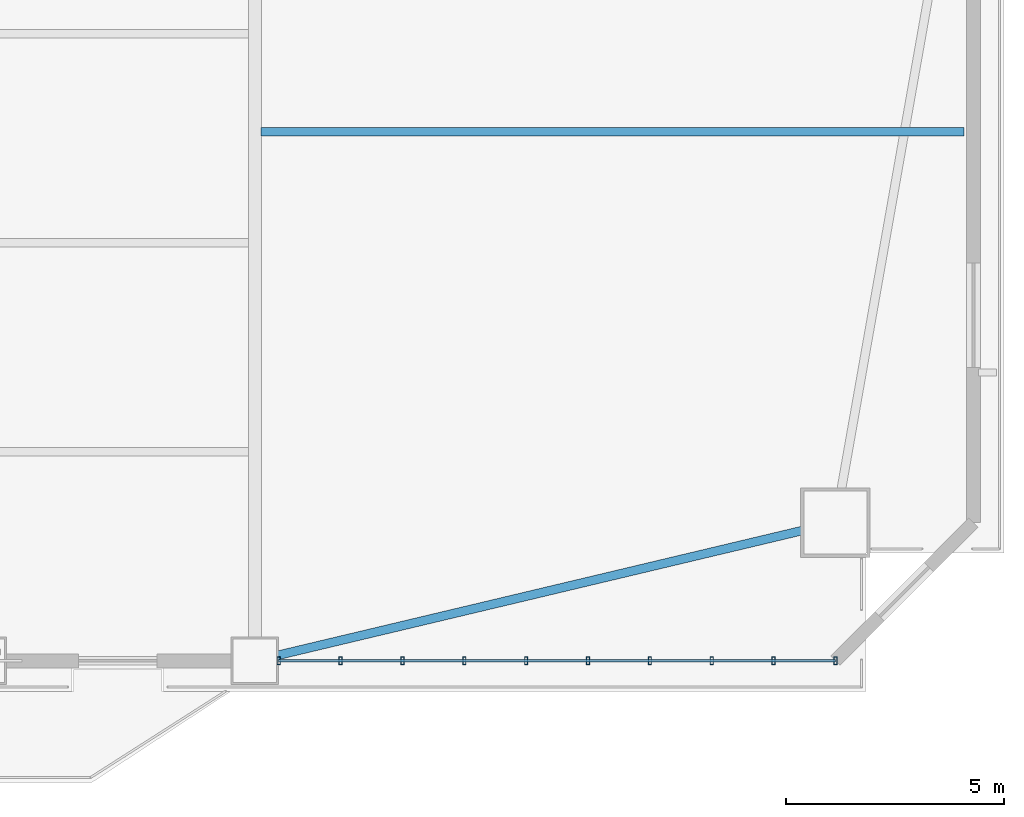
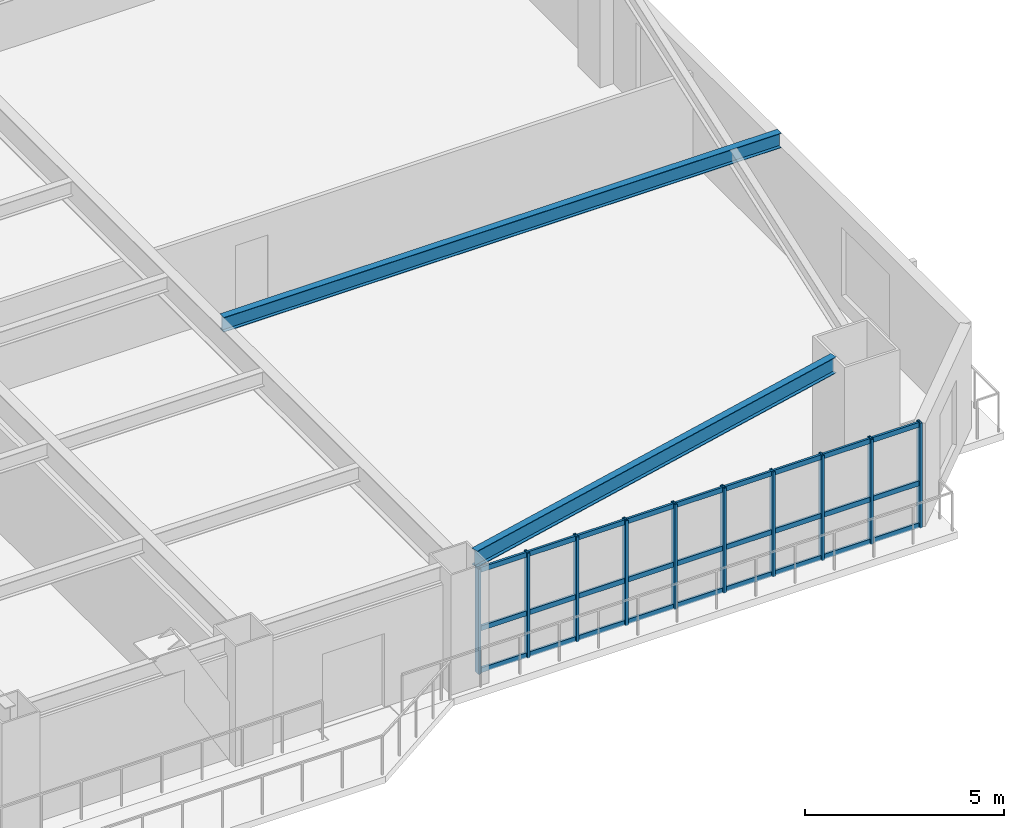
# One storey, part 6 of 17: 13 members, 2 beams, 1 element without a shape of its own.
"""IFC4 building model written with IfcOpenShell, lengths in metres."""

from ifc_helpers import new_model, si_unit, direction, frame, origin, origin_2d, place, context, subcontext, project, spatial, hollow_rectangle, i_section, extrude, source, transform, mapped, material, layer, layer_set, material_profile, profile_set, type_object, element, aggregate, save


model = new_model("IFC4")

# Units and contexts
model_context = context("Model", 3, precision=1e-05, world=origin(), true_north=direction((0.0, 1.0)))
body_context = subcontext(model_context, "Body", "Model", "MODEL_VIEW")
ifc_project = project(units=[si_unit("LENGTHUNIT", "METRE"), si_unit("AREAUNIT", "SQUARE_METRE"), si_unit("VOLUMEUNIT", "CUBIC_METRE"), si_unit("PLANEANGLEUNIT", "RADIAN"), si_unit("MASSUNIT", "GRAM", prefix="KILO")], contexts=[model_context])

# Site, building, storey
site_placement = place(None, origin())
site = spatial("IfcSite", under=ifc_project, at=site_placement, CompositionType="ELEMENT")
building_placement = place(site_placement, origin())
building = spatial("IfcBuilding", under=site, at=building_placement, Name="Giltprow Tower", CompositionType="ELEMENT")
storey_placement = place(building_placement, frame((0.0, 0.0, 37.10009765625)))
storey = spatial("IfcBuildingStorey", under=building, at=storey_placement, Name="L09", CompositionType="ELEMENT", Elevation=37.10009765625)

# Beams
ifc_material_1 = material(Name="Structural steel Q355B", Category="steel")
ifc_material_profile_1 = material_profile(ifc_material_1, i_section(OverallWidth=0.199951171875, OverallDepth=0.5, WebThickness=0.010009765625, FlangeThickness=0.01611328125, at=origin_2d()), Name="HN 500x200x10x16")
ifc_profile_set_1 = profile_set([ifc_material_profile_1], Name="Structural steel Q355B")
beam_type_1 = type_object("IfcBeamType", Name="BM-SPAN-HN500", PredefinedType="SPANDREL", material=ifc_profile_set_1)
shared_shape_1 = source(origin(), body_context, "Body", "SweptSolid", [
    extrude(i_section(OverallWidth=0.199951171875, OverallDepth=0.5, WebThickness=0.010009765625, FlangeThickness=0.01611328125, at=origin_2d()), origin(), (0.0, 0.0, 1.0), 12.393310546875),
])
beam_1_placement = place(storey_placement, frame((51.070068359375, 3.950927734375, 3.429931640625), z_axis=(0.972852062108, 0.23142788348, 0.0), x_axis=(-0.23142788348, 0.972852062108, 0.0)))
element("IfcBeam", 1, at=beam_1_placement, inside=storey, type_object=beam_type_1, Name="L09 Perimeter Spandrel Beam S4-MC_SE", PredefinedType="SPANDREL", context=body_context, shape_type="MappedRepresentation", body=[
    mapped(shared_shape_1, transform((0.0, 0.0, 0.0), x_axis=(1.0, 0.0, 0.0), y_axis=(0.0, 1.0, 0.0), z_axis=(0.0, 0.0, 1.0), scale=1.0)),
])
ifc_material_profile_2 = material_profile(ifc_material_1, i_section(OverallWidth=0.199951171875, OverallDepth=0.449951171875, WebThickness=0.009033203125, FlangeThickness=0.013916015625, at=origin_2d()), Name="HN 450x200x9x14")
ifc_profile_set_2 = profile_set([ifc_material_profile_2], Name="Structural steel Q355B")
beam_type_2 = type_object("IfcBeamType", Name="BM-JOIST-HN450", PredefinedType="JOIST", material=ifc_profile_set_2)
shared_shape_2 = source(origin(), body_context, "Body", "SweptSolid", [
    extrude(i_section(OverallWidth=0.199951171875, OverallDepth=0.449951171875, WebThickness=0.009033203125, FlangeThickness=0.013916015625, at=origin_2d()), origin(), (0.0, 0.0, 1.0), 16.14990234375),
])
beam_2_placement = place(storey_placement, frame((50.695068359375, 15.98193359375, 3.454833984375), z_axis=(1.0, 0.0, 0.0), x_axis=(0.0, 1.0, 0.0)))
element("IfcBeam", 2, at=beam_2_placement, inside=storey, type_object=beam_type_2, Name="L09 East Wing Floor Joist 1", PredefinedType="JOIST", context=body_context, shape_type="MappedRepresentation", body=[
    mapped(shared_shape_2, transform((0.0, 0.0, 0.0), x_axis=(1.0, 0.0, 0.0), y_axis=(0.0, 1.0, 0.0), z_axis=(0.0, 0.0, 1.0), scale=1.0)),
])

# Curtain wall, members
ifc_material_2 = material(Name="Anodized bronze", Category="metal")
ifc_layer = layer(ifc_material_2, 0.179931640625, Name="Anodized bronze")
ifc_layer_set = layer_set([ifc_layer], Name="Anodized bronze")
curtain_wall_type = type_object("IfcCurtainWallType", Name="CW-OFF-RECESSED", PredefinedType="NOTDEFINED", material=ifc_layer_set)
curtain_wall_placement = place(storey_placement, origin())
curtain_wall = element("IfcCurtainWall", 3, at=curtain_wall_placement, inside=storey, type_object=curtain_wall_type, Name="L09 South Recessed Curtain Wall 6", PredefinedType="NOTDEFINED")
ifc_material_profile_3 = material_profile(ifc_material_2, hollow_rectangle(XDim=0.074951171875, YDim=0.179931640625, WallThickness=0.008056640625, at=origin_2d()), Name="RHS 180x75x8")
ifc_profile_set_3 = profile_set([ifc_material_profile_3], Name="Anodized bronze")
member_type_1 = type_object("IfcMemberType", Name="CW-MULLION-180x75", PredefinedType="MULLION", material=ifc_profile_set_3)
shared_shape_3 = source(origin(), body_context, "Body", "SweptSolid", [
    extrude(hollow_rectangle(XDim=0.074951171875, YDim=0.179931640625, WallThickness=0.008056640625, at=origin_2d()), origin(), (0.0, 0.0, 1.0), 3.21484375),
])
member_1_placement = place(storey_placement, frame((51.10009765625, 3.826904296875, -0.02001953125), z_axis=(0.0, 0.0, 1.0), x_axis=(1.0, 0.0, 0.0)))
member_1 = element("IfcMember", 4, at=member_1_placement, type_object=member_type_1, Name="L09 South Recessed Curtain Wall 6 Mullion 1", PredefinedType="MULLION", context=body_context, shape_type="MappedRepresentation", body=[
    mapped(shared_shape_3, transform((0.0, 0.0, 0.0), x_axis=(1.0, 0.0, 0.0), y_axis=(0.0, 1.0, 0.0), z_axis=(0.0, 0.0, 1.0), scale=1.0)),
])
member_2_placement = place(storey_placement, frame((52.52099609375, 3.826904296875, -0.02001953125), z_axis=(0.0, 0.0, 1.0), x_axis=(1.0, 0.0, 0.0)))
member_2 = element("IfcMember", 5, at=member_2_placement, type_object=member_type_1, Name="L09 South Recessed Curtain Wall 6 Mullion 2", PredefinedType="MULLION", context=body_context, shape_type="MappedRepresentation", body=[
    mapped(shared_shape_3, transform((0.0, 0.0, 0.0), x_axis=(1.0, 0.0, 0.0), y_axis=(0.0, 1.0, 0.0), z_axis=(0.0, 0.0, 1.0), scale=1.0)),
])
member_3_placement = place(storey_placement, frame((53.94189453125, 3.826904296875, -0.02001953125), z_axis=(0.0, 0.0, 1.0), x_axis=(1.0, 0.0, 0.0)))
member_3 = element("IfcMember", 6, at=member_3_placement, type_object=member_type_1, Name="L09 South Recessed Curtain Wall 6 Mullion 3", PredefinedType="MULLION", context=body_context, shape_type="MappedRepresentation", body=[
    mapped(shared_shape_3, transform((0.0, 0.0, 0.0), x_axis=(1.0, 0.0, 0.0), y_axis=(0.0, 1.0, 0.0), z_axis=(0.0, 0.0, 1.0), scale=1.0)),
])
member_4_placement = place(storey_placement, frame((55.364013671875, 3.826904296875, -0.02001953125), z_axis=(0.0, 0.0, 1.0), x_axis=(1.0, 0.0, 0.0)))
member_4 = element("IfcMember", 7, at=member_4_placement, type_object=member_type_1, Name="L09 South Recessed Curtain Wall 6 Mullion 4", PredefinedType="MULLION", context=body_context, shape_type="MappedRepresentation", body=[
    mapped(shared_shape_3, transform((0.0, 0.0, 0.0), x_axis=(1.0, 0.0, 0.0), y_axis=(0.0, 1.0, 0.0), z_axis=(0.0, 0.0, 1.0), scale=1.0)),
])
member_5_placement = place(storey_placement, frame((56.784912109375, 3.826904296875, -0.02001953125), z_axis=(0.0, 0.0, 1.0), x_axis=(1.0, 0.0, 0.0)))
member_5 = element("IfcMember", 8, at=member_5_placement, type_object=member_type_1, Name="L09 South Recessed Curtain Wall 6 Mullion 5", PredefinedType="MULLION", context=body_context, shape_type="MappedRepresentation", body=[
    mapped(shared_shape_3, transform((0.0, 0.0, 0.0), x_axis=(1.0, 0.0, 0.0), y_axis=(0.0, 1.0, 0.0), z_axis=(0.0, 0.0, 1.0), scale=1.0)),
])
member_6_placement = place(storey_placement, frame((58.2060546875, 3.826904296875, -0.02001953125), z_axis=(0.0, 0.0, 1.0), x_axis=(1.0, 0.0, 0.0)))
member_6 = element("IfcMember", 9, at=member_6_placement, type_object=member_type_1, Name="L09 South Recessed Curtain Wall 6 Mullion 6", PredefinedType="MULLION", context=body_context, shape_type="MappedRepresentation", body=[
    mapped(shared_shape_3, transform((0.0, 0.0, 0.0), x_axis=(1.0, 0.0, 0.0), y_axis=(0.0, 1.0, 0.0), z_axis=(0.0, 0.0, 1.0), scale=1.0)),
])
member_7_placement = place(storey_placement, frame((59.626953125, 3.826904296875, -0.02001953125), z_axis=(0.0, 0.0, 1.0), x_axis=(1.0, 0.0, 0.0)))
member_7 = element("IfcMember", 10, at=member_7_placement, type_object=member_type_1, Name="L09 South Recessed Curtain Wall 6 Mullion 7", PredefinedType="MULLION", context=body_context, shape_type="MappedRepresentation", body=[
    mapped(shared_shape_3, transform((0.0, 0.0, 0.0), x_axis=(1.0, 0.0, 0.0), y_axis=(0.0, 1.0, 0.0), z_axis=(0.0, 0.0, 1.0), scale=1.0)),
])
member_8_placement = place(storey_placement, frame((61.049072265625, 3.826904296875, -0.02001953125), z_axis=(0.0, 0.0, 1.0), x_axis=(1.0, 0.0, 0.0)))
member_8 = element("IfcMember", 11, at=member_8_placement, type_object=member_type_1, Name="L09 South Recessed Curtain Wall 6 Mullion 8", PredefinedType="MULLION", context=body_context, shape_type="MappedRepresentation", body=[
    mapped(shared_shape_3, transform((0.0, 0.0, 0.0), x_axis=(1.0, 0.0, 0.0), y_axis=(0.0, 1.0, 0.0), z_axis=(0.0, 0.0, 1.0), scale=1.0)),
])
member_9_placement = place(storey_placement, frame((62.469970703125, 3.826904296875, -0.02001953125), z_axis=(0.0, 0.0, 1.0), x_axis=(1.0, 0.0, 0.0)))
member_9 = element("IfcMember", 12, at=member_9_placement, type_object=member_type_1, Name="L09 South Recessed Curtain Wall 6 Mullion 9", PredefinedType="MULLION", context=body_context, shape_type="MappedRepresentation", body=[
    mapped(shared_shape_3, transform((0.0, 0.0, 0.0), x_axis=(1.0, 0.0, 0.0), y_axis=(0.0, 1.0, 0.0), z_axis=(0.0, 0.0, 1.0), scale=1.0)),
])
member_10_placement = place(storey_placement, frame((63.89111328125, 3.826904296875, -0.02001953125), z_axis=(0.0, 0.0, 1.0), x_axis=(1.0, 0.0, 0.0)))
member_10 = element("IfcMember", 13, at=member_10_placement, type_object=member_type_1, Name="L09 South Recessed Curtain Wall 6 Mullion 10", PredefinedType="MULLION", context=body_context, shape_type="MappedRepresentation", body=[
    mapped(shared_shape_3, transform((0.0, 0.0, 0.0), x_axis=(1.0, 0.0, 0.0), y_axis=(0.0, 1.0, 0.0), z_axis=(0.0, 0.0, 1.0), scale=1.0)),
])
ifc_material_profile_4 = material_profile(ifc_material_2, hollow_rectangle(XDim=0.06494140625, YDim=0.14990234375, WallThickness=0.006103515625, at=origin_2d()), Name="RHS 150x65x6")
ifc_profile_set_4 = profile_set([ifc_material_profile_4], Name="Anodized bronze")
member_type_2 = type_object("IfcMemberType", Name="CW-TRANSOM-150x65", PredefinedType="USERDEFINED", material=ifc_profile_set_4)
shared_shape_4 = source(origin(), body_context, "Body", "SweptSolid", [
    extrude(hollow_rectangle(XDim=0.06494140625, YDim=0.14990234375, WallThickness=0.006103515625, at=origin_2d()), origin(), (0.0, 0.0, 1.0), 12.791015625),
])
member_11_placement = place(storey_placement, frame((51.10009765625, 3.826904296875, 0.039794921875), z_axis=(1.0, 0.0, 0.0), x_axis=(0.0, 1.0, 0.0)))
member_11 = element("IfcMember", 14, at=member_11_placement, type_object=member_type_2, Name="L09 South Recessed Curtain Wall 6 Transom 1", ObjectType="TRANSOM", PredefinedType="USERDEFINED", context=body_context, shape_type="MappedRepresentation", body=[
    mapped(shared_shape_4, transform((0.0, 0.0, 0.0), x_axis=(1.0, 0.0, 0.0), y_axis=(0.0, 1.0, 0.0), z_axis=(0.0, 0.0, 1.0), scale=1.0)),
])
member_12_placement = place(storey_placement, frame((51.10009765625, 3.826904296875, 1.326904296875), z_axis=(1.0, 0.0, 0.0), x_axis=(0.0, 1.0, 0.0)))
member_12 = element("IfcMember", 15, at=member_12_placement, type_object=member_type_2, Name="L09 South Recessed Curtain Wall 6 Transom 2", ObjectType="TRANSOM", PredefinedType="USERDEFINED", context=body_context, shape_type="MappedRepresentation", body=[
    mapped(shared_shape_4, transform((0.0, 0.0, 0.0), x_axis=(1.0, 0.0, 0.0), y_axis=(0.0, 1.0, 0.0), z_axis=(0.0, 0.0, 1.0), scale=1.0)),
])
member_13_placement = place(storey_placement, frame((51.10009765625, 3.826904296875, 3.119873046875), z_axis=(1.0, 0.0, 0.0), x_axis=(0.0, 1.0, 0.0)))
member_13 = element("IfcMember", 16, at=member_13_placement, type_object=member_type_2, Name="L09 South Recessed Curtain Wall 6 Transom 3", ObjectType="TRANSOM", PredefinedType="USERDEFINED", context=body_context, shape_type="MappedRepresentation", body=[
    mapped(shared_shape_4, transform((0.0, 0.0, 0.0), x_axis=(1.0, 0.0, 0.0), y_axis=(0.0, 1.0, 0.0), z_axis=(0.0, 0.0, 1.0), scale=1.0)),
])
aggregate(curtain_wall, [member_1, member_2, member_3, member_4, member_5, member_6, member_7, member_8, member_9, member_10, member_11, member_12, member_13])

save(model, "model.ifc")
